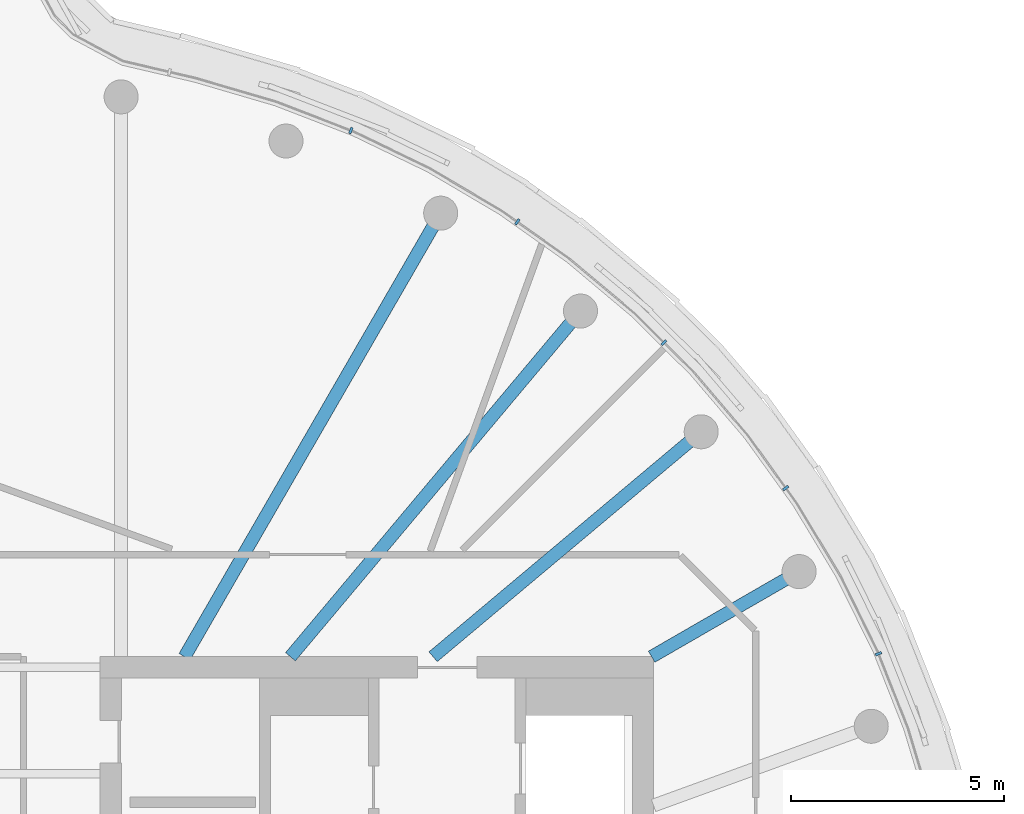
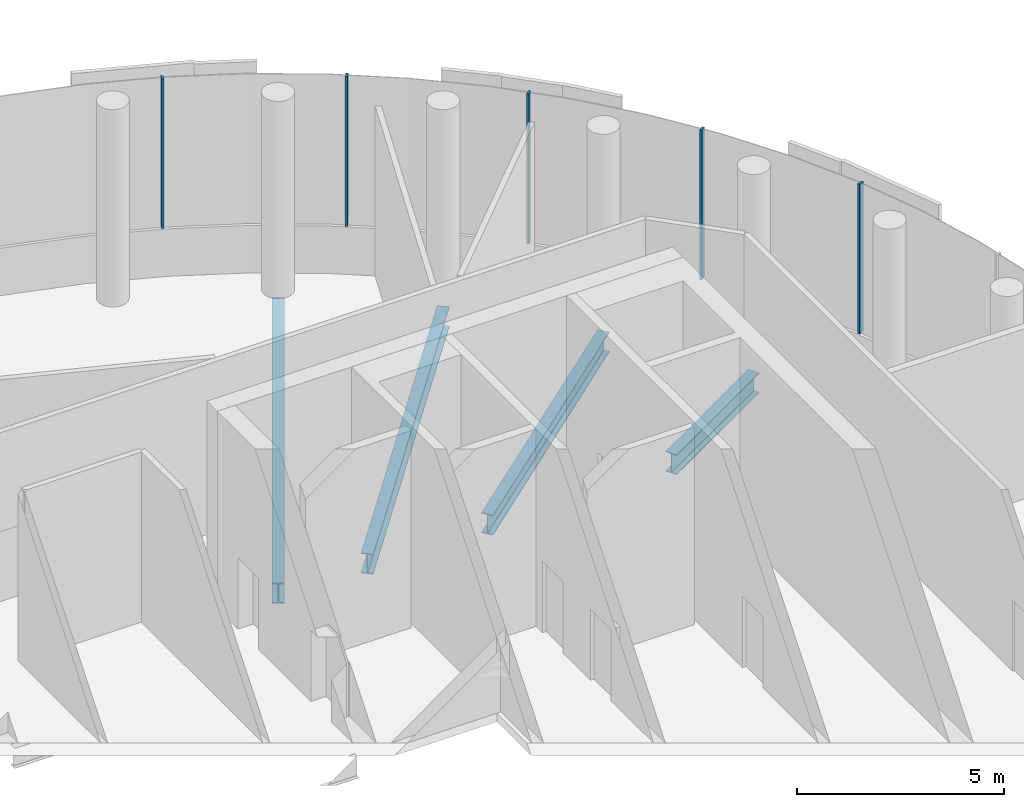
# One storey, part 9 of 18: 5 members, 4 beams, 1 element without a shape of its own.
"""IFC4 building model written with IfcOpenShell, lengths in metres."""

from ifc_helpers import new_model, si_unit, direction, frame, origin, origin_2d, place, context, subcontext, project, spatial, rectangle, i_section, extrude, material, layer, layer_set, material_profile, profile_set, type_object, element, aggregate, save


model = new_model("IFC4")

# Units and contexts
model_context = context("Model", 3, precision=1e-05, world=origin(), true_north=direction((0.0, 1.0)))
body_context = subcontext(model_context, "Body", "Model", "MODEL_VIEW")
ifc_project = project(units=[si_unit("LENGTHUNIT", "METRE"), si_unit("AREAUNIT", "SQUARE_METRE"), si_unit("VOLUMEUNIT", "CUBIC_METRE"), si_unit("PLANEANGLEUNIT", "RADIAN"), si_unit("MASSUNIT", "GRAM", prefix="KILO")], contexts=[model_context])

# Site, building, storey
site_placement = place(None, origin())
site = spatial("IfcSite", under=ifc_project, at=site_placement, CompositionType="ELEMENT")
building_placement = place(site_placement, origin())
building = spatial("IfcBuilding", under=site, at=building_placement, Name="Tamarind Cross Interchange Tower", CompositionType="ELEMENT")
storey_placement = place(building_placement, frame((0.0, 0.0, 299.39990234375)))
storey = spatial("IfcBuildingStorey", under=building, at=storey_placement, Name="L74", CompositionType="ELEMENT", Elevation=299.39990234375)

# Beams
ifc_material_1 = material(Name="Steel Q355B", Category="steel")
ifc_material_profile_1 = material_profile(ifc_material_1, i_section(OverallWidth=0.302001953125, OverallDepth=0.593994140625, WebThickness=0.013916015625, FlangeThickness=0.02294921875, FilletRadius=0.01806640625, at=origin_2d()), Name="HM 594x302x14x23")
ifc_profile_set_1 = profile_set([ifc_material_profile_1], Name="Steel Q355B")
beam_type = type_object("IfcBeamType", Name="Composite beam HM 594x302x14x23 Q355B", PredefinedType="BEAM", material=ifc_profile_set_1)
beam_1_placement = place(storey_placement, frame((19.918701171875, 11.5, -0.546875), z_axis=(-0.866026010844, -0.49999894854, 0.0), x_axis=(0.49999894854, -0.866026010844, 0.0)))
element("IfcBeam", 1, at=beam_1_placement, inside=storey, type_object=beam_type, Name="Beam HH03", PredefinedType="BEAM", context=body_context, shape_type="SweptSolid", body=[
    extrude(i_section(OverallWidth=0.302001953125, OverallDepth=0.593994140625, WebThickness=0.013916015625, FlangeThickness=0.02294921875, FilletRadius=0.01806640625, at=origin_2d()), origin(), (0.0, 0.0, 1.0), 4.0),
])
beam_2_placement = place(storey_placement, frame((17.619140625, 14.7841796875, -0.546875), z_axis=(-0.766040580814, -0.642792212574, 0.0), x_axis=(0.642792212574, -0.766040580814, 0.0)))
element("IfcBeam", 2, at=beam_2_placement, inside=storey, type_object=beam_type, Name="Beam HH04", PredefinedType="BEAM", context=body_context, shape_type="SweptSolid", body=[
    extrude(i_section(OverallWidth=0.302001953125, OverallDepth=0.593994140625, WebThickness=0.013916015625, FlangeThickness=0.02294921875, FilletRadius=0.01806640625, at=origin_2d()), origin(), (0.0, 0.0, 1.0), 8.220703125),
])
beam_3_placement = place(storey_placement, frame((14.7841796875, 17.619140625, -0.546875), z_axis=(-0.642786293979, -0.766045547127, 0.0), x_axis=(0.766045547127, -0.642786293979, 0.0)))
element("IfcBeam", 3, at=beam_3_placement, inside=storey, type_object=beam_type, Name="Beam HH05", PredefinedType="BEAM", context=body_context, shape_type="SweptSolid", body=[
    extrude(i_section(OverallWidth=0.302001953125, OverallDepth=0.593994140625, WebThickness=0.013916015625, FlangeThickness=0.02294921875, FilletRadius=0.01806640625, at=origin_2d()), origin(), (0.0, 0.0, 1.0), 10.598876953125),
])
beam_4_placement = place(storey_placement, frame((11.5, 19.918701171875, -0.546875), z_axis=(-0.499993565836, -0.866029118519, 0.0), x_axis=(0.866029118519, -0.499993565836, 0.0)))
element("IfcBeam", 4, at=beam_4_placement, inside=storey, type_object=beam_type, Name="Beam HH06", PredefinedType="BEAM", context=body_context, shape_type="SweptSolid", body=[
    extrude(i_section(OverallWidth=0.302001953125, OverallDepth=0.593994140625, WebThickness=0.013916015625, FlangeThickness=0.02294921875, FilletRadius=0.01806640625, at=origin_2d()), origin(), (0.0, 0.0, 1.0), 12.030517578125),
])

# Curtain wall, members
ifc_material_2 = material(Name="Aluminium 6063-T6", Category="aluminium")
ifc_layer = layer(ifc_material_2, 0.14990234375)
ifc_layer_set = layer_set([ifc_layer], Name="Aluminium 6063-T6")
curtain_wall_type = type_object("IfcCurtainWallType", Name="Winter garden and crown curtain wall", PredefinedType="NOTDEFINED", material=ifc_layer_set)
curtain_wall_placement = place(storey_placement, origin())
curtain_wall = element("IfcCurtainWall", 5, at=curtain_wall_placement, inside=storey, type_object=curtain_wall_type, Name="CWS-L74-02", PredefinedType="NOTDEFINED")
ifc_material_profile_2 = material_profile(ifc_material_2, rectangle(XDim=0.06005859375, YDim=0.14990234375, at=origin_2d()), Name="Mullion CW6")
ifc_profile_set_2 = profile_set([ifc_material_profile_2], Name="Aluminium 6063-T6")
member_type = type_object("IfcMemberType", Name="Mullion CW6", PredefinedType="MULLION", material=ifc_profile_set_2)
member_1_placement = place(storey_placement, frame((21.782470703125, 9.570556640625, 1.400146484375), z_axis=(0.0, 0.0, 1.0), x_axis=(-0.367513773146, 0.930018078613, 0.0)))
member_1 = element("IfcMember", 6, at=member_1_placement, type_object=member_type, Name="CWM-L74-02-24", PredefinedType="MULLION", context=body_context, shape_type="SweptSolid", body=[
    extrude(rectangle(XDim=0.06005859375, YDim=0.14990234375, at=origin_2d()), origin(), (0.0, 0.0, 1.0), 4.419921875),
])
member_2_placement = place(storey_placement, frame((19.6044921875, 13.462158203125, 1.400146484375), z_axis=(0.0, 0.0, 1.0), x_axis=(-0.584573890505, 0.811340475102, 0.0)))
member_2 = element("IfcMember", 7, at=member_2_placement, type_object=member_type, Name="CWM-L74-02-25", PredefinedType="MULLION", context=body_context, shape_type="SweptSolid", body=[
    extrude(rectangle(XDim=0.06005859375, YDim=0.14990234375, at=origin_2d()), origin(), (0.0, 0.0, 1.0), 4.419921875),
])
member_3_placement = place(storey_placement, frame((16.7421875, 16.881103515625, 1.400146484375), z_axis=(0.0, 0.0, 1.0), x_axis=(-0.710143317658, 0.704057148523, 0.0)))
member_3 = element("IfcMember", 8, at=member_3_placement, type_object=member_type, Name="CWM-L74-02-26", PredefinedType="MULLION", context=body_context, shape_type="SweptSolid", body=[
    extrude(rectangle(XDim=0.06005859375, YDim=0.14990234375, at=origin_2d()), origin(), (0.0, 0.0, 1.0), 4.419921875),
])
member_4_placement = place(storey_placement, frame((13.299560546875, 19.71484375, 1.400146484375), z_axis=(0.0, 0.0, 1.0), x_axis=(-0.816341886298, 0.577568978284, 0.0)))
member_4 = element("IfcMember", 9, at=member_4_placement, type_object=member_type, Name="CWM-L74-02-27", PredefinedType="MULLION", context=body_context, shape_type="SweptSolid", body=[
    extrude(rectangle(XDim=0.06005859375, YDim=0.14990234375, at=origin_2d()), origin(), (0.0, 0.0, 1.0), 4.419921875),
])
member_5_placement = place(storey_placement, frame((9.390625, 21.861083984375, 1.400146484375), z_axis=(0.0, 0.0, 1.0), x_axis=(-0.933146843667, 0.359495435512, 0.0)))
member_5 = element("IfcMember", 10, at=member_5_placement, type_object=member_type, Name="CWM-L74-02-28", PredefinedType="MULLION", context=body_context, shape_type="SweptSolid", body=[
    extrude(rectangle(XDim=0.06005859375, YDim=0.14990234375, at=origin_2d()), origin(), (0.0, 0.0, 1.0), 4.419921875),
])
aggregate(curtain_wall, [member_1, member_2, member_3, member_4, member_5])

save(model, "model.ifc")
